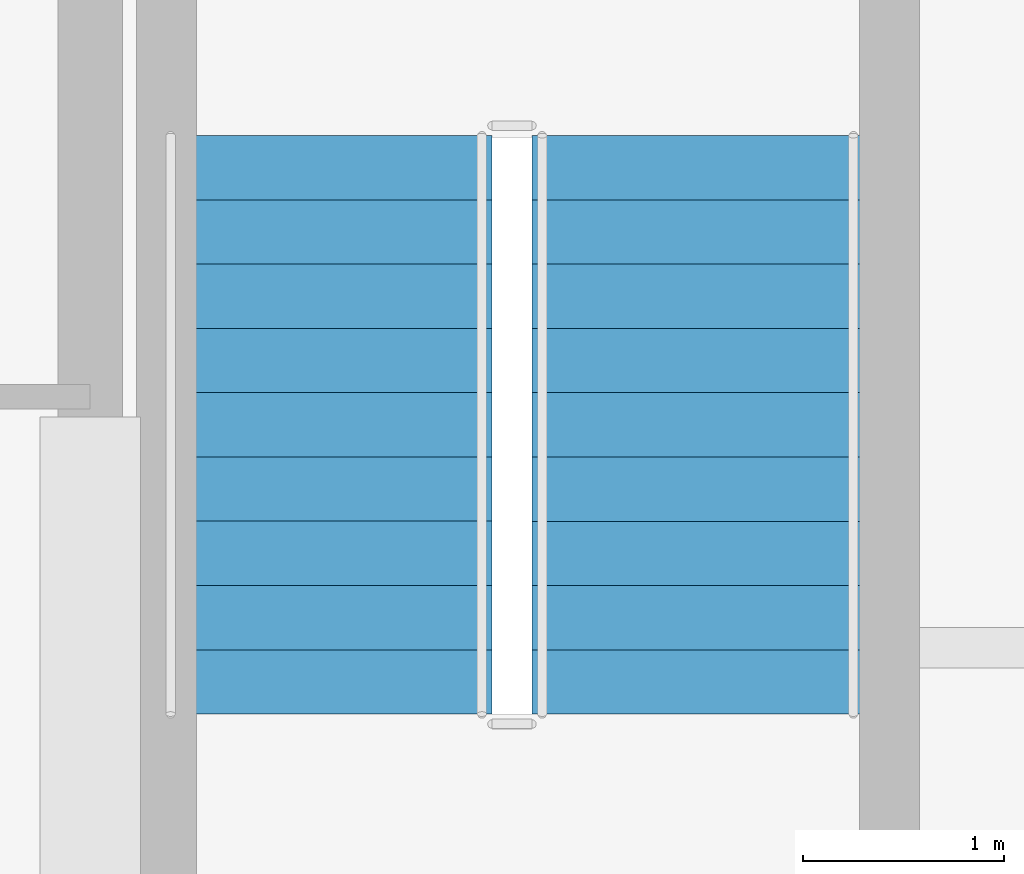
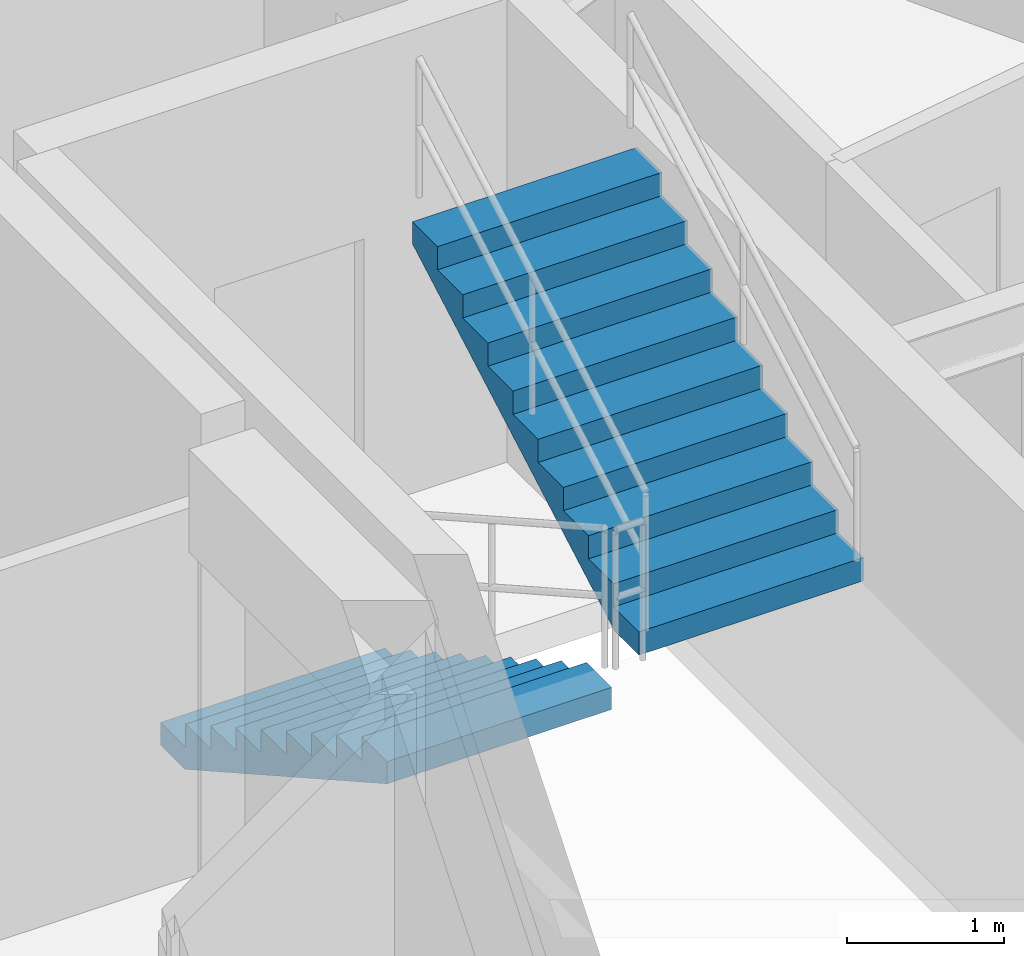
# One storey, part 17 of 18: 2 stair flights, 1 element without a shape of its own.
"""IFC4 building model written with IfcOpenShell, lengths in metres."""

from ifc_helpers import new_model, si_unit, direction, frame, origin, place, context, subcontext, project, spatial, polyline, outline, extrude, material, type_object, element, aggregate, save


model = new_model("IFC4")

# Units and contexts
model_context = context("Model", 3, precision=1e-05, world=origin(), true_north=direction((0.0, 1.0)))
body_context = subcontext(model_context, "Body", "Model", "MODEL_VIEW")
ifc_project = project(units=[si_unit("LENGTHUNIT", "METRE"), si_unit("AREAUNIT", "SQUARE_METRE"), si_unit("VOLUMEUNIT", "CUBIC_METRE"), si_unit("PLANEANGLEUNIT", "RADIAN"), si_unit("MASSUNIT", "GRAM", prefix="KILO")], contexts=[model_context])

# Site, building, storey
site_placement = place(None, origin())
site = spatial("IfcSite", under=ifc_project, at=site_placement, CompositionType="ELEMENT")
building_placement = place(site_placement, origin())
building = spatial("IfcBuilding", under=site, at=building_placement, Name="Veldorina Hangang Commons", CompositionType="ELEMENT")
storey_placement = place(building_placement, frame((0.0, 0.0, 232.800048828125)))
storey = spatial("IfcBuildingStorey", under=building, at=storey_placement, Name="L60", CompositionType="ELEMENT", Elevation=232.800048828125)

# Stair, stair flights
ifc_material = material(Name="Concrete C40/50", Category="concrete")
stair_type = type_object("IfcStairType", Name="STR-DOG-1650-20R", PredefinedType="HALF_TURN_STAIR", material=ifc_material)
stair_placement = place(storey_placement, origin())
stair = element("IfcStair", 1, at=stair_placement, inside=storey, type_object=stair_type, Name="L60 Exit stair ST-2", PredefinedType="HALF_TURN_STAIR")
stair_flight_type = type_object("IfcStairFlightType", Name="SFL-STR-1650-20R", PredefinedType="STRAIGHT", material=ifc_material)
stair_flight_1_placement = place(storey_placement, frame((40.375, 26.550048828125, 0.0), z_axis=(0.0, 0.0, 1.0), x_axis=(0.0, -1.0, 0.0)))
stair_flight_1 = element("IfcStairFlight", 2, at=stair_flight_1_placement, type_object=stair_flight_type, Name="ST-2 flight 1", NumberOfRisers=10, NumberOfTreads=9, PredefinedType="STRAIGHT", RiserHeight=0.18, TreadLength=0.32, context=body_context, shape_type="SweptSolid", body=[
    extrude(outline(polyline([(0.0, 0.0), (0.0, 0.179931640625), (0.320068359375, 0.179931640625), (0.320068359375, 0.360107421875), (0.639892578125, 0.360107421875), (0.639892578125, 0.5400390625), (0.9599609375, 0.5400390625), (0.9599609375, 0.719970703125), (1.280029296875, 0.719970703125), (1.280029296875, 0.89990234375), (1.60009765625, 0.89990234375), (1.60009765625, 1.080078125), (1.919921875, 1.080078125), (1.919921875, 1.260009765625), (2.239990234375, 1.260009765625), (2.239990234375, 1.43994140625), (2.56005859375, 1.43994140625), (2.56005859375, 1.6201171875), (2.8798828125, 1.6201171875), (2.8798828125, 1.800048828125), (2.8798828125, 1.447998046875), (0.3056640625, 0.0), (0.0, 0.0)])), frame((0.0, 0.824951171875, 0.0), z_axis=(0.0, -1.0, 0.0), x_axis=(1.0, 0.0, 0.0)), (0.0, 0.0, 1.0), 1.64990234375),
])
stair_flight_2_placement = place(storey_placement, frame((42.22509765625, 23.669921875, 1.800048828125), z_axis=(0.0, 0.0, 1.0), x_axis=(0.0, 1.0, 0.0)))
stair_flight_2 = element("IfcStairFlight", 3, at=stair_flight_2_placement, type_object=stair_flight_type, Name="ST-2 flight 2", NumberOfRisers=10, NumberOfTreads=9, PredefinedType="STRAIGHT", RiserHeight=0.18, TreadLength=0.32, context=body_context, shape_type="SweptSolid", body=[
    extrude(outline(polyline([(0.0, 0.0), (0.0, 0.179931640625), (0.320068359375, 0.179931640625), (0.320068359375, 0.360107421875), (0.639892578125, 0.360107421875), (0.639892578125, 0.5400390625), (0.9599609375, 0.5400390625), (0.9599609375, 0.719970703125), (1.280029296875, 0.719970703125), (1.280029296875, 0.89990234375), (1.60009765625, 0.89990234375), (1.60009765625, 1.080078125), (1.919921875, 1.080078125), (1.919921875, 1.260009765625), (2.239990234375, 1.260009765625), (2.239990234375, 1.43994140625), (2.56005859375, 1.43994140625), (2.56005859375, 1.6201171875), (2.8798828125, 1.6201171875), (2.8798828125, 1.800048828125), (2.8798828125, 1.447998046875), (0.3056640625, 0.0), (0.0, 0.0)])), frame((0.0, 0.824951171875, 0.0), z_axis=(0.0, -1.0, 0.0), x_axis=(1.0, 0.0, 0.0)), (0.0, 0.0, 1.0), 1.64990234375),
])
aggregate(stair, [stair_flight_1, stair_flight_2])

save(model, "model.ifc")
